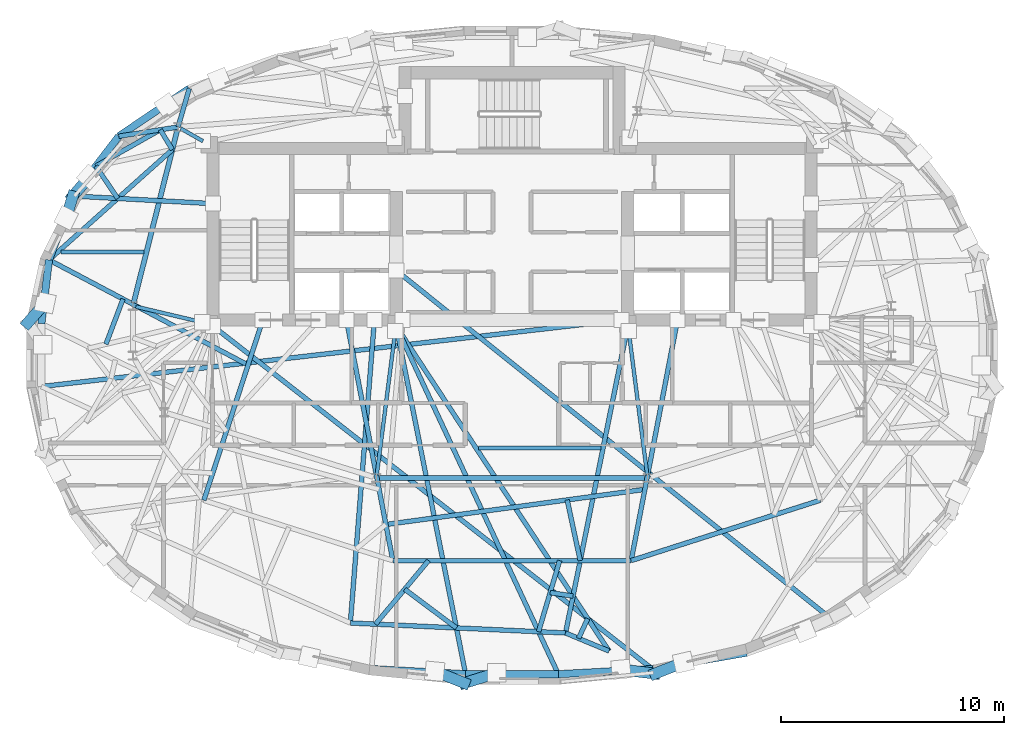
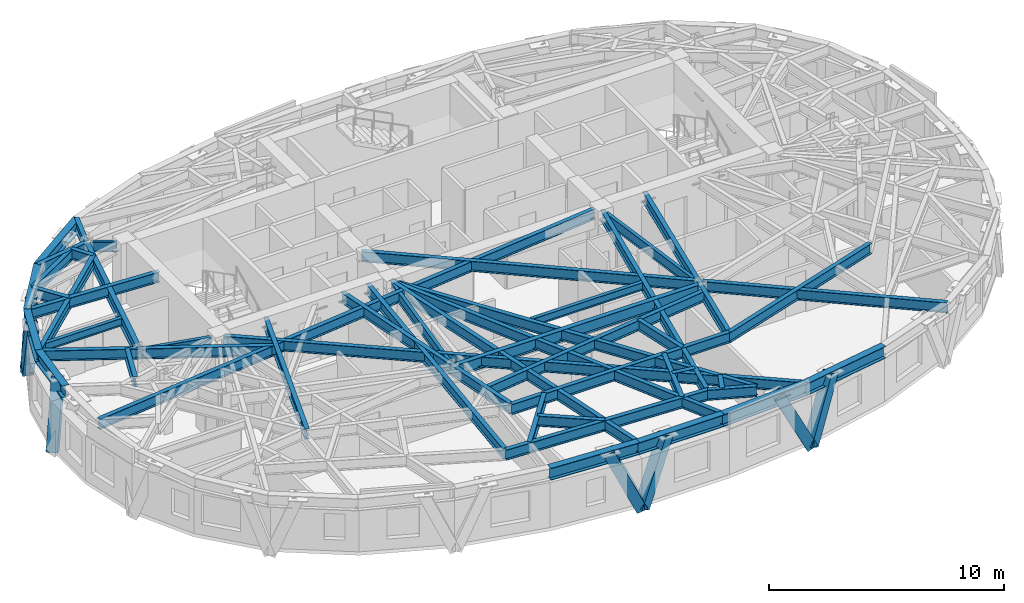
# One storey, part 2 of 13: 47 beams, 7 members.
"""IFC4 building model written with IfcOpenShell, lengths in metres."""

import ifcopenshell
import ifcopenshell.guid

model = None  # the IFC model being written
_history = None  # IfcOwnerHistory: only IFC2X3 demands one
_inside = {}  # id of a spatial element -> (the spatial element, [elements in it])
_under = {}  # id of a project, library or spatial element -> (it, [spatial elements below it])
_declared = {}  # id of a project -> (the project, [libraries it declares])
_typed = {}  # id of a type object -> (the type object, [elements of that type])
_made_of = {}  # id of a material, layer set ... -> (it, [elements and type objects made of it])


def new_model(schema):
    """Start an empty IFC model of exactly this schema.

    Asked for "IFC4X3", IfcOpenShell would pick the latest addendum, in which some entities
    have other attributes; the version numbers below select the first issue.
    IFC2X3 requires an IfcOwnerHistory on every rooted entity: one is made here for all.
    """
    global model, _history
    if schema == "IFC4X3":
        model = ifcopenshell.file(schema_version=(4, 3, 0, 0))
    else:
        model = ifcopenshell.file(schema=schema)
    _inside.clear()
    _under.clear()
    _declared.clear()
    _typed.clear()
    _made_of.clear()
    _history = None
    if model.schema == "IFC2X3":
        org = make("IfcOrganization", Name="unknown")
        user = make(
            "IfcPersonAndOrganization",
            ThePerson=make("IfcPerson", FamilyName="unknown"),
            TheOrganization=org,
        )
        app = make(
            "IfcApplication",
            ApplicationDeveloper=org,
            Version="unknown",
            ApplicationFullName="unknown",
            ApplicationIdentifier="unknown",
        )
        _history = make(
            "IfcOwnerHistory",
            OwningUser=user,
            OwningApplication=app,
            ChangeAction="ADDED",
            CreationDate=0,
        )
    return model


def make(cls, **values):
    """One entity of the class cls with the attributes given. An attribute that is None is left unset."""
    return model.create_entity(
        cls, **{name: value for name, value in values.items() if value is not None}
    )


def rooted(cls, **values):
    """An entity with a GlobalId (a new one), such as an element, a storey or a relation."""
    return make(cls, GlobalId=ifcopenshell.guid.new(), OwnerHistory=_history, **values)


def si_unit(unit_type, name, prefix=None):
    """IfcSIUnit, for example si_unit("LENGTHUNIT", "METRE", prefix="MILLI")."""
    return make("IfcSIUnit", UnitType=unit_type, Prefix=prefix, Name=name)


def assignment(units):
    """IfcUnitAssignment: the units of a project."""
    return None if units is None else make("IfcUnitAssignment", Units=units)


def point(xyz):
    """IfcCartesianPoint."""
    return None if xyz is None else make("IfcCartesianPoint", Coordinates=xyz)


def direction(xyz):
    """IfcDirection."""
    return None if xyz is None else make("IfcDirection", DirectionRatios=xyz)


def frame(location, z_axis=None, x_axis=None):
    """IfcAxis2Placement3D, a coordinate frame: its origin and axes. An axis left out is left unset."""
    return make(
        "IfcAxis2Placement3D",
        Location=point(location),
        Axis=direction(z_axis),
        RefDirection=direction(x_axis),
    )


def frame_2d(location, x_axis=None):
    """IfcAxis2Placement2D, a coordinate frame in the plane: its origin and x axis."""
    return make(
        "IfcAxis2Placement2D", Location=point(location), RefDirection=direction(x_axis)
    )


def origin():
    """The frame at (0, 0, 0) with its axes left unset."""
    return frame((0.0, 0.0, 0.0))


def origin_2d():
    """The frame at (0, 0) in the plane with its x axis left unset."""
    return frame_2d((0.0, 0.0))


def place(relative_to, where):
    """IfcLocalPlacement: puts the frame where relative to a parent placement (None: the world)."""
    return make(
        "IfcLocalPlacement", PlacementRelTo=relative_to, RelativePlacement=where
    )


def context(
    kind, dimensions, precision=None, world=None, true_north=None, identifier=None
):
    """IfcGeometricRepresentationContext, for example the 3D "Model" context."""
    return make(
        "IfcGeometricRepresentationContext",
        ContextIdentifier=identifier,
        ContextType=kind,
        CoordinateSpaceDimension=dimensions,
        Precision=precision,
        WorldCoordinateSystem=world,
        TrueNorth=true_north,
    )


def subcontext(parent, identifier, kind, view, scale=None):
    """IfcGeometricRepresentationSubContext, for example "Body" below "Model"."""
    return make(
        "IfcGeometricRepresentationSubContext",
        ContextIdentifier=identifier,
        ContextType=kind,
        ParentContext=parent,
        TargetScale=scale,
        TargetView=view,
    )


def project(units=None, contexts=None):
    """IfcProject with its units and contexts."""
    return rooted(
        "IfcProject",
        Name="project",
        RepresentationContexts=contexts,
        UnitsInContext=assignment(units),
    )


def spatial(cls, under=None, at=None, **own):
    """A site, building, storey or space (cls), placed at a placement, below another one or the project."""
    s = rooted(cls, ObjectPlacement=at, **own)
    if under is not None:
        _under.setdefault(under.id(), (under, []))[1].append(s)
    return s


def profile(cls, at=None, kind="AREA", **sizes):
    """A parametric profile (cls). Its sizes go by their IFC names, for example OverallWidth=200.0."""
    return make(cls, ProfileType=kind, Position=at, **sizes)


def hollow_rectangle(**sizes):
    """IfcRectangleHollowProfileDef."""
    return profile("IfcRectangleHollowProfileDef", **sizes)


def i_section(**sizes):
    """IfcIShapeProfileDef."""
    return profile("IfcIShapeProfileDef", **sizes)


def extrude(swept, where, along, depth):
    """IfcExtrudedAreaSolid: the profile swept, set in the frame where, extruded along a direction by depth."""
    return make(
        "IfcExtrudedAreaSolid",
        SweptArea=swept,
        Position=where,
        ExtrudedDirection=direction(along),
        Depth=depth,
    )


def shape(context_of_items, identifier, shape_type, items):
    """IfcShapeRepresentation: the items that make up one representation, for example the "Body"."""
    return make(
        "IfcShapeRepresentation",
        ContextOfItems=context_of_items,
        RepresentationIdentifier=identifier,
        RepresentationType=shape_type,
        Items=items,
    )


def material(Name=None, Category=None):
    """IfcMaterial."""
    return make("IfcMaterial", Name=Name, Category=Category)


def material_profile(
    of_material, cross_section, Name=None, Category=None, Priority=None
):
    """IfcMaterialProfile: a cross section and its material."""
    return make(
        "IfcMaterialProfile",
        Name=Name,
        Material=of_material,
        Profile=cross_section,
        Priority=Priority,
        Category=Category,
    )


def profile_set(profiles, Name=None, composite=None):
    """IfcMaterialProfileSet."""
    return make(
        "IfcMaterialProfileSet",
        Name=Name,
        MaterialProfiles=profiles,
        CompositeProfile=composite,
    )


def made_of(thing, what):
    """Note that an element or type object is made of a material, layer set ...; save() writes the relation."""
    if what is not None:
        _made_of.setdefault(what.id(), (what, []))[1].append(thing)
    return thing


def type_object(cls, material=None, **own):
    """A type object (cls), such as IfcWallType, which elements share."""
    return made_of(rooted(cls, **own), material)


def element(
    cls,
    number,
    at=None,
    inside=None,
    cuts=None,
    type_object=None,
    material=None,
    context=None,
    identifier="Body",
    shape_type=None,
    held_by="IfcProductDefinitionShape",
    body=None,
    shapes=None,
    **own,
):
    """One element of the class cls, such as IfcWall. Its Tag is "e" and its number.

    at: its placement. inside: the storey or other place that contains it. cuts: it is an
    opening in that element (IfcRelVoidsElement). A single representation is given by context,
    identifier, shape_type and body (its items); several are given by shapes. held_by: the class
    of the entity that holds the representations. save() writes the other relations.
    """
    e = rooted(cls, Tag="e%d" % number, ObjectPlacement=at, **own)
    if body is not None:
        shapes = [shape(context, identifier, shape_type, body)]
    if shapes is not None:
        e.Representation = make(held_by, Representations=shapes)
    if inside is not None:
        _inside.setdefault(inside.id(), (inside, []))[1].append(e)
    if cuts is not None:
        rooted(
            "IfcRelVoidsElement", RelatingBuildingElement=cuts, RelatedOpeningElement=e
        )
    if type_object is not None:
        _typed.setdefault(type_object.id(), (type_object, []))[1].append(e)
    return made_of(e, material)


def aggregate(whole, parts):
    """IfcRelAggregates: a whole, such as a stair, and the parts it consists of."""
    return rooted("IfcRelAggregates", RelatingObject=whole, RelatedObjects=parts)


def save(model, path):
    """Write the relations noted so far, then the file.

    IfcRelAggregates (storeys below a building ...), IfcRelContainedInSpatialStructure (elements
    in a storey), IfcRelDefinesByType, IfcRelAssociatesMaterial and IfcRelDeclares: one each for
    every whole, place, type object, material and project.
    """
    for whole, parts in _under.values():
        aggregate(whole, parts)
    for where, things in _inside.values():
        rooted(
            "IfcRelContainedInSpatialStructure",
            RelatedElements=things,
            RelatingStructure=where,
        )
    for kind, things in _typed.values():
        rooted("IfcRelDefinesByType", RelatedObjects=things, RelatingType=kind)
    for what, things in _made_of.values():
        rooted("IfcRelAssociatesMaterial", RelatedObjects=things, RelatingMaterial=what)
    for by, libraries in _declared.values():
        rooted("IfcRelDeclares", RelatingContext=by, RelatedDefinitions=libraries)
    model.write(path)


model = new_model("IFC4")

# Units and contexts
model_context = context("Model", 3, precision=1e-05, world=origin(), true_north=direction((0.0, 1.0)))
body_context = subcontext(model_context, "Body", "Model", "MODEL_VIEW")
ifc_project = project(units=[si_unit("LENGTHUNIT", "METRE"), si_unit("AREAUNIT", "SQUARE_METRE"), si_unit("VOLUMEUNIT", "CUBIC_METRE"), si_unit("PLANEANGLEUNIT", "RADIAN"), si_unit("MASSUNIT", "GRAM", prefix="KILO")], contexts=[model_context])

# Site, building, storey
site_placement = place(None, origin())
site = spatial("IfcSite", under=ifc_project, at=site_placement, CompositionType="ELEMENT")
building_placement = place(site_placement, origin())
building = spatial("IfcBuilding", under=site, at=building_placement, Name="Keldmark Tower", CompositionType="ELEMENT")
storey_placement = place(building_placement, frame((0.0, 0.0, 244.64990234375)))
storey = spatial("IfcBuildingStorey", under=building, at=storey_placement, Name="L69", CompositionType="ELEMENT", Elevation=244.64990234375)

# Beams
ifc_material_1 = material(Name="Steel ASTM A992 Grade 50", Category="steel")
ifc_material_profile_1 = material_profile(ifc_material_1, i_section(OverallWidth=0.177978515625, OverallDepth=0.403076171875, WebThickness=0.007568359375, FlangeThickness=0.010986328125, at=origin_2d()), Name="W16X36")
ifc_profile_set_1 = profile_set([ifc_material_profile_1], Name="Steel ASTM A992 Grade 50")
beam_type_1 = type_object("IfcBeamType", Name="Composite Floor Joist W16X36", PredefinedType="JOIST", material=ifc_profile_set_1)
beam_1_placement = place(storey_placement, frame((-1.49462890625, -4.179931640625, 2.7685546875), z_axis=(1.0, 0.0, 0.0), x_axis=(0.0, 1.0, 0.0)))
element("IfcBeam", 1, at=beam_1_placement, inside=storey, type_object=beam_type_1, Name="L69 Composite Floor Joist J03", PredefinedType="JOIST", context=body_context, shape_type="SweptSolid", body=[
    extrude(i_section(OverallWidth=0.177978515625, OverallDepth=0.403076171875, WebThickness=0.007568359375, FlangeThickness=0.010986328125, at=origin_2d()), origin(), (0.0, 0.0, 1.0), 5.484619140625),
])
beam_2_placement = place(storey_placement, frame((-20.260498046875, 4.6201171875, 2.7685546875), z_axis=(1.0, 0.0, 0.0), x_axis=(0.0, 1.0, 0.0)))
element("IfcBeam", 2, at=beam_2_placement, inside=storey, type_object=beam_type_1, Name="L69 Composite Floor Joist J04", PredefinedType="JOIST", context=body_context, shape_type="SweptSolid", body=[
    extrude(i_section(OverallWidth=0.177978515625, OverallDepth=0.403076171875, WebThickness=0.007568359375, FlangeThickness=0.010986328125, at=origin_2d()), origin(), (0.0, 0.0, 1.0), 3.735595703125),
])

# Members
ifc_material_2 = material(Name="Steel ASTM A572 Grade 50", Category="steel")
ifc_material_profile_2 = material_profile(ifc_material_2, hollow_rectangle(XDim=0.5, YDim=0.5, WallThickness=0.030029296875, at=origin_2d()), Name="BOX500X500X30")
ifc_profile_set_2 = profile_set([ifc_material_profile_2], Name="Steel ASTM A572 Grade 50")
member_type = type_object("IfcMemberType", Name="Diagrid Upper Brace BOX500X500X30", PredefinedType="BRACE", material=ifc_profile_set_2)
member_1_placement = place(storey_placement, frame((-19.728271484375, 7.129150390625, -0.260009765625), z_axis=(0.225146112073, 0.262780938135, 0.938219274355), x_axis=(-0.759391798182, 0.650633611839, 0.0)))
element("IfcMember", 3, at=member_1_placement, inside=storey, type_object=member_type, Name="L69 Perimeter Diagrid Brace 07A", PredefinedType="BRACE", context=body_context, shape_type="SweptSolid", body=[
    extrude(hollow_rectangle(XDim=0.5, YDim=0.5, WallThickness=0.030029296875, at=origin_2d()), origin(), (0.0, 0.0, 1.0), 3.31494140625),
])
member_2_placement = place(storey_placement, frame((-19.7216796875, 7.138916015625, -0.260009765625), z_axis=(-0.091121113924, -0.298939890116, 0.949911514139), x_axis=(0.956549539404, -0.291569852121, 0.0)))
element("IfcMember", 4, at=member_2_placement, inside=storey, type_object=member_type, Name="L69 Perimeter Diagrid Brace 07B", PredefinedType="BRACE", context=body_context, shape_type="SweptSolid", body=[
    extrude(hollow_rectangle(XDim=0.5, YDim=0.5, WallThickness=0.030029296875, at=origin_2d()), origin(), (0.0, 0.0, 1.0), 3.274169921875),
])
member_3_placement = place(storey_placement, frame((-21.751953125, 1.439208984375, -0.260009765625), z_axis=(0.236657823038, 0.272818962717, 0.932503559445), x_axis=(-0.755394757937, 0.655269989914, 0.0)))
element("IfcMember", 5, at=member_3_placement, inside=storey, type_object=member_type, Name="L69 Perimeter Diagrid Brace 08A", PredefinedType="BRACE", context=body_context, shape_type="SweptSolid", body=[
    extrude(hollow_rectangle(XDim=0.5, YDim=0.5, WallThickness=0.030029296875, at=origin_2d()), origin(), (0.0, 0.0, 1.0), 3.335205078125),
])
member_4_placement = place(storey_placement, frame((-2.130615234375, -14.7314453125, -0.260009765625), z_axis=(-0.391321444426, 0.15640043904, 0.906866268973), x_axis=(-0.371128536334, -0.928581503972, 0.0)))
element("IfcMember", 6, at=member_4_placement, inside=storey, type_object=member_type, Name="L69 Perimeter Diagrid Brace 12A", PredefinedType="BRACE", context=body_context, shape_type="SweptSolid", body=[
    extrude(hollow_rectangle(XDim=0.5, YDim=0.5, WallThickness=0.030029296875, at=origin_2d()), origin(), (0.0, 0.0, 1.0), 3.429443359375),
])
member_5_placement = place(storey_placement, frame((-2.14208984375, -14.72900390625, -0.260009765625), z_axis=(0.419804559651, 0.132440021421, 0.897899644962), x_axis=(-0.300863147023, 0.953667324995, 0.0)))
element("IfcMember", 7, at=member_5_placement, inside=storey, type_object=member_type, Name="L69 Perimeter Diagrid Brace 12B", PredefinedType="BRACE", context=body_context, shape_type="SweptSolid", body=[
    extrude(hollow_rectangle(XDim=0.5, YDim=0.5, WallThickness=0.030029296875, at=origin_2d()), origin(), (0.0, 0.0, 1.0), 3.4638671875),
])
member_6_placement = place(storey_placement, frame((6.42041015625, -14.305419921875, -0.260009765625), z_axis=(-0.440255197099, 0.054803259594, 0.896198618703), x_axis=(-0.123527289199, -0.992341175616, 0.0)))
element("IfcMember", 8, at=member_6_placement, inside=storey, type_object=member_type, Name="L69 Perimeter Diagrid Brace 13A", PredefinedType="BRACE", context=body_context, shape_type="SweptSolid", body=[
    extrude(hollow_rectangle(XDim=0.5, YDim=0.5, WallThickness=0.030029296875, at=origin_2d()), origin(), (0.0, 0.0, 1.0), 3.47021484375),
])
member_7_placement = place(storey_placement, frame((6.40869140625, -14.3076171875, -0.260009765625), z_axis=(0.379041415839, 0.150096960054, 0.913125680102), x_axis=(-0.368175119927, 0.92975646331, 0.0)))
element("IfcMember", 9, at=member_7_placement, inside=storey, type_object=member_type, Name="L69 Perimeter Diagrid Brace 13B", PredefinedType="BRACE", context=body_context, shape_type="SweptSolid", body=[
    extrude(hollow_rectangle(XDim=0.5, YDim=0.5, WallThickness=0.030029296875, at=origin_2d()), origin(), (0.0, 0.0, 1.0), 3.406005859375),
])

# Beams
ifc_material_3 = material(Name="Steel ASTM A992 Grade 50", Category="steel")
ifc_material_profile_3 = material_profile(ifc_material_3, i_section(OverallWidth=0.22802734375, OverallDepth=0.60302734375, WebThickness=0.010498046875, FlangeThickness=0.014892578125, at=origin_2d()), Name="W24X68")
ifc_profile_set_3 = profile_set([ifc_material_profile_3], Name="Steel ASTM A992 Grade 50")
beam_type_2 = type_object("IfcBeamType", Name="Primary Floor Girder W24X68", PredefinedType="BEAM", material=ifc_profile_set_3)
beam_3_placement = place(storey_placement, frame((-15.030029296875, 10.10791015625, 2.668701171875), z_axis=(-0.244902129455, -0.969547805417, 0.0), x_axis=(0.969547805417, -0.244902129455, 0.0)))
element("IfcBeam", 10, at=beam_3_placement, inside=storey, type_object=beam_type_2, Name="L69 Floor Ring Girder FG-R05", PredefinedType="BEAM", context=body_context, shape_type="SweptSolid", body=[
    extrude(i_section(OverallWidth=0.22802734375, OverallDepth=0.60302734375, WebThickness=0.010498046875, FlangeThickness=0.014892578125, at=origin_2d()), origin(), (0.0, 0.0, 1.0), 8.008056640625),
])
beam_4_placement = place(storey_placement, frame((-5.949462890625, -5.512939453125, 2.668701171875), z_axis=(1.0, 0.0, 0.0), x_axis=(0.0, 1.0, 0.0)))
element("IfcBeam", 11, at=beam_4_placement, inside=storey, type_object=beam_type_2, Name="L69 Floor Ring Girder FG-R09", PredefinedType="BEAM", context=body_context, shape_type="SweptSolid", body=[
    extrude(i_section(OverallWidth=0.22802734375, OverallDepth=0.60302734375, WebThickness=0.010498046875, FlangeThickness=0.014892578125, at=origin_2d()), origin(), (0.0, 0.0, 1.0), 11.89892578125),
])
ifc_material_4 = material(Name="Steel ASTM A992 Grade 50", Category="steel")
ifc_material_profile_4 = material_profile(ifc_material_4, i_section(OverallWidth=0.166015625, OverallDepth=0.529052734375, WebThickness=0.009765625, FlangeThickness=0.013671875, at=origin_2d()), Name="W21X50")
ifc_profile_set_4 = profile_set([ifc_material_profile_4], Name="Steel ASTM A992 Grade 50")
beam_type_3 = type_object("IfcBeamType", Name="Radial Tie Girder W21X50", PredefinedType="BEAM", material=ifc_profile_set_4)
beam_5_placement = place(storey_placement, frame((-14.8740234375, 10.174560546875, 2.70556640625), z_axis=(0.869238046195, -0.494393789451, 0.0), x_axis=(0.494393789451, 0.869238046195, 0.0)))
element("IfcBeam", 12, at=beam_5_placement, inside=storey, type_object=beam_type_3, Name="L69 Floor Radial Girder FG-C05", PredefinedType="BEAM", context=body_context, shape_type="SweptSolid", body=[
    extrude(i_section(OverallWidth=0.166015625, OverallDepth=0.529052734375, WebThickness=0.009765625, FlangeThickness=0.013671875, at=origin_2d()), origin(), (0.0, 0.0, 1.0), 1.145751953125),
])
beam_6_placement = place(storey_placement, frame((-16.889404296875, 2.17578125, 2.70556640625), z_axis=(0.97329039005, -0.229577474147, 0.0), x_axis=(0.229577474147, 0.97329039005, 0.0)))
element("IfcBeam", 13, at=beam_6_placement, inside=storey, type_object=beam_type_3, Name="L69 Floor Radial Girder FG-C06", PredefinedType="BEAM", context=body_context, shape_type="SweptSolid", body=[
    extrude(i_section(OverallWidth=0.166015625, OverallDepth=0.529052734375, WebThickness=0.009765625, FlangeThickness=0.013671875, at=origin_2d()), origin(), (0.0, 0.0, 1.0), 3.0595703125),
])
for number, where, z_axis, x_axis, name in (
    (14, (-6.071533203125, -5.3740234375, 2.70556640625), (0.127625044513, 0.991822488157, 0.0), (-0.991822488157, 0.127625044513, 0.0), "L69 Floor Radial Girder FG-C09"),
    (15, (6.071533203125, -5.3740234375, 2.70556640625), (-0.127625044513, 0.991822488157, 0.0), (-0.991822488157, -0.127625044513, 0.0), "L69 Floor Radial Girder FG-C10"),
):
    element("IfcBeam", number, at=place(storey_placement, frame(where, z_axis=z_axis, x_axis=x_axis)), inside=storey, type_object=beam_type_3, Name=name, PredefinedType="BEAM", context=body_context, shape_type="SweptSolid", body=[
        extrude(i_section(OverallWidth=0.166015625, OverallDepth=0.529052734375, WebThickness=0.009765625, FlangeThickness=0.013671875, at=origin_2d()), origin(), (0.0, 0.0, 1.0), 6.509765625),
    ])
ifc_material_5 = material(Name="Steel ASTM A992 Grade 50", Category="steel")
ifc_material_profile_5 = material_profile(ifc_material_5, i_section(OverallWidth=0.2099609375, OverallDepth=0.537109375, WebThickness=0.010986328125, FlangeThickness=0.017333984375, at=origin_2d()), Name="W21X68")
ifc_profile_set_5 = profile_set([ifc_material_profile_5], Name="Steel ASTM A992 Grade 50")
beam_type_4 = type_object("IfcBeamType", Name="Radial Tie Girder W21X68", PredefinedType="BEAM", material=ifc_profile_set_5)
beam_7_placement = place(storey_placement, frame((-11.19287109375, 1.574951171875, 2.70166015625), z_axis=(-0.310622790125, -0.950533262046, 0.0), x_axis=(0.950533262046, -0.310622790125, 0.0)))
element("IfcBeam", 16, at=beam_7_placement, inside=storey, type_object=beam_type_4, Name="L69 Sub-Ring Step Girder STP1-M08", PredefinedType="BEAM", context=body_context, shape_type="SweptSolid", body=[
    extrude(i_section(OverallWidth=0.2099609375, OverallDepth=0.537109375, WebThickness=0.010986328125, FlangeThickness=0.017333984375, at=origin_2d()), origin(), (0.0, 0.0, 1.0), 8.51513671875),
])
beam_8_placement = place(storey_placement, frame((-7.43212890625, 1.574951171875, 2.70166015625), z_axis=(0.189163451734, -0.981945613834, 0.0), x_axis=(0.981945613834, 0.189163451734, 0.0)))
element("IfcBeam", 17, at=beam_8_placement, inside=storey, type_object=beam_type_4, Name="L69 Sub-Ring Step Girder STP1-M09", PredefinedType="BEAM", context=body_context, shape_type="SweptSolid", body=[
    extrude(i_section(OverallWidth=0.2099609375, OverallDepth=0.537109375, WebThickness=0.010986328125, FlangeThickness=0.017333984375, at=origin_2d()), origin(), (0.0, 0.0, 1.0), 11.00146484375),
])
beam_9_placement = place(storey_placement, frame((-5.6630859375, -7.607421875, 2.70166015625), z_axis=(0.990927252406, 0.134399331986, 0.0), x_axis=(-0.134399331986, 0.990927252406, 0.0)))
element("IfcBeam", 18, at=beam_9_placement, inside=storey, type_object=beam_type_4, Name="L69 Framing Pin Header PH-004", PredefinedType="BEAM", context=body_context, shape_type="SweptSolid", body=[
    extrude(i_section(OverallWidth=0.2099609375, OverallDepth=0.537109375, WebThickness=0.010986328125, FlangeThickness=0.017333984375, at=origin_2d()), origin(), (0.0, 0.0, 1.0), 11.736572265625),
])
beam_10_placement = place(storey_placement, frame((7.43212890625, 1.574951171875, 2.70166015625), z_axis=(-0.189163451734, -0.981945613834, 0.0), x_axis=(0.981945613834, -0.189163451734, 0.0)))
element("IfcBeam", 19, at=beam_10_placement, inside=storey, type_object=beam_type_4, Name="L69 Sub-Ring Step Girder STP1-M10", PredefinedType="BEAM", context=body_context, shape_type="SweptSolid", body=[
    extrude(i_section(OverallWidth=0.2099609375, OverallDepth=0.537109375, WebThickness=0.010986328125, FlangeThickness=0.017333984375, at=origin_2d()), origin(), (0.0, 0.0, 1.0), 11.00146484375),
])
beam_11_placement = place(storey_placement, frame((-5.35107421875, -9.227783203125, 2.70166015625), z_axis=(1.0, 0.0, 0.0), x_axis=(0.0, 1.0, 0.0)))
element("IfcBeam", 20, at=beam_11_placement, inside=storey, type_object=beam_type_4, Name="L69 Perimeter Collector Ring Beam CRG1-M09", PredefinedType="BEAM", context=body_context, shape_type="SweptSolid", body=[
    extrude(i_section(OverallWidth=0.2099609375, OverallDepth=0.537109375, WebThickness=0.010986328125, FlangeThickness=0.017333984375, at=origin_2d()), origin(), (0.0, 0.0, 1.0), 10.7021484375),
])
beam_12_placement = place(storey_placement, frame((5.35107421875, -9.227783203125, 2.70166015625), z_axis=(0.952653299931, 0.304058695206, 0.0), x_axis=(-0.304058695206, 0.952653299931, 0.0)))
element("IfcBeam", 21, at=beam_12_placement, inside=storey, type_object=beam_type_4, Name="L69 Perimeter Collector Ring Beam CRG1-M10", PredefinedType="BEAM", context=body_context, shape_type="SweptSolid", body=[
    extrude(i_section(OverallWidth=0.2099609375, OverallDepth=0.537109375, WebThickness=0.010986328125, FlangeThickness=0.017333984375, at=origin_2d()), origin(), (0.0, 0.0, 1.0), 8.90869140625),
])
beam_13_placement = place(storey_placement, frame((-6.1787109375, 1.574951171875, 2.70166015625), z_axis=(-0.079136616474, -0.996863780029, 0.0), x_axis=(0.996863780029, -0.079136616474, 0.0)))
element("IfcBeam", 22, at=beam_13_placement, inside=storey, type_object=beam_type_4, Name="L69 Sub-Ring Step Girder STP2-M09", PredefinedType="BEAM", context=body_context, shape_type="SweptSolid", body=[
    extrude(i_section(OverallWidth=0.2099609375, OverallDepth=0.537109375, WebThickness=0.010986328125, FlangeThickness=0.017333984375, at=origin_2d()), origin(), (0.0, 0.0, 1.0), 13.648193359375),
])
beam_14_placement = place(storey_placement, frame((2.477783203125, -6.50341796875, 2.70166015625), z_axis=(0.210181217397, -0.977662444739, 0.0), x_axis=(0.977662444739, 0.210181217397, 0.0)))
element("IfcBeam", 23, at=beam_14_placement, inside=storey, type_object=beam_type_4, Name="L69 Framing Pin Header PH-010", PredefinedType="BEAM", context=body_context, shape_type="SweptSolid", body=[
    extrude(i_section(OverallWidth=0.2099609375, OverallDepth=0.537109375, WebThickness=0.010986328125, FlangeThickness=0.017333984375, at=origin_2d()), origin(), (0.0, 0.0, 1.0), 2.78662109375),
])
beam_15_placement = place(storey_placement, frame((5.199951171875, 1.300048828125, 2.70166015625), z_axis=(-0.198873859633, -0.980025095574, 0.0), x_axis=(0.980025095574, -0.198873859633, 0.0)))
element("IfcBeam", 24, at=beam_15_placement, inside=storey, type_object=beam_type_4, Name="L69 Sub-Ring Step Girder STP2-M10", PredefinedType="BEAM", context=body_context, shape_type="SweptSolid", body=[
    extrude(i_section(OverallWidth=0.2099609375, OverallDepth=0.537109375, WebThickness=0.010986328125, FlangeThickness=0.017333984375, at=origin_2d()), origin(), (0.0, 0.0, 1.0), 14.05859375),
])
beam_16_placement = place(storey_placement, frame((-7.2587890625, -12.030517578125, 2.70166015625), z_axis=(0.998930467132, -0.046237666838, 0.0), x_axis=(0.046237666838, 0.998930467132, 0.0)))
element("IfcBeam", 25, at=beam_16_placement, inside=storey, type_object=beam_type_4, Name="L69 Perimeter Collector Ring Beam CRG2-M09", PredefinedType="BEAM", context=body_context, shape_type="SweptSolid", body=[
    extrude(i_section(OverallWidth=0.2099609375, OverallDepth=0.537109375, WebThickness=0.010986328125, FlangeThickness=0.017333984375, at=origin_2d()), origin(), (0.0, 0.0, 1.0), 9.673095703125),
])
beam_17_placement = place(storey_placement, frame((-14.995849609375, 10.24365234375, 2.70166015625), z_axis=(0.279890698496, 0.960031872854, 0.0), x_axis=(-0.960031872854, 0.279890698496, 0.0)))
element("IfcBeam", 26, at=beam_17_placement, inside=storey, type_object=beam_type_4, Name="L69 Perimeter Column Bracket RT-12", PredefinedType="BEAM", context=body_context, shape_type="SweptSolid", body=[
    extrude(i_section(OverallWidth=0.2099609375, OverallDepth=0.537109375, WebThickness=0.010986328125, FlangeThickness=0.017333984375, at=origin_2d()), origin(), (0.0, 0.0, 1.0), 1.80126953125),
])
beam_18_placement = place(storey_placement, frame((-14.995849609375, 10.24365234375, 2.70166015625), z_axis=(-0.987913814806, -0.155004175803, 0.0), x_axis=(0.155004175803, -0.987913814806, 0.0)))
element("IfcBeam", 27, at=beam_18_placement, inside=storey, type_object=beam_type_4, Name="L69 Perimeter Column Bracket RT-13", PredefinedType="BEAM", context=body_context, shape_type="SweptSolid", body=[
    extrude(i_section(OverallWidth=0.2099609375, OverallDepth=0.537109375, WebThickness=0.010986328125, FlangeThickness=0.017333984375, at=origin_2d()), origin(), (0.0, 0.0, 1.0), 2.69482421875),
])
beam_19_placement = place(storey_placement, frame((-15.79443359375, 10.118408203125, 2.70166015625), z_axis=(0.518203287232, -0.855257477665, 0.0), x_axis=(0.855257477665, 0.518203287232, 0.0)))
element("IfcBeam", 28, at=beam_19_placement, inside=storey, type_object=beam_type_4, Name="L69 Framing Pin Header PH-018", PredefinedType="BEAM", context=body_context, shape_type="SweptSolid", body=[
    extrude(i_section(OverallWidth=0.2099609375, OverallDepth=0.537109375, WebThickness=0.010986328125, FlangeThickness=0.017333984375, at=origin_2d()), origin(), (0.0, 0.0, 1.0), 1.04443359375),
])
beam_20_placement = place(storey_placement, frame((-15.79443359375, 10.118408203125, 2.70166015625), z_axis=(-0.870716159518, -0.491785898084, 0.0), x_axis=(0.491785898084, -0.870716159518, 0.0)))
element("IfcBeam", 29, at=beam_20_placement, inside=storey, type_object=beam_type_4, Name="L69 Local Collector Chord RT-14C", PredefinedType="BEAM", context=body_context, shape_type="SweptSolid", body=[
    extrude(i_section(OverallWidth=0.2099609375, OverallDepth=0.537109375, WebThickness=0.010986328125, FlangeThickness=0.017333984375, at=origin_2d()), origin(), (0.0, 0.0, 1.0), 3.320556640625),
])
beam_21_placement = place(storey_placement, frame((-18.234130859375, 0.490966796875, 2.70166015625), z_axis=(0.35414499765, 0.935190526385, 0.0), x_axis=(-0.935190526385, 0.35414499765, 0.0)))
element("IfcBeam", 30, at=beam_21_placement, inside=storey, type_object=beam_type_4, Name="L69 Framing Pin Header PH-019", PredefinedType="BEAM", context=body_context, shape_type="SweptSolid", body=[
    extrude(i_section(OverallWidth=0.2099609375, OverallDepth=0.537109375, WebThickness=0.010986328125, FlangeThickness=0.017333984375, at=origin_2d()), origin(), (0.0, 0.0, 1.0), 2.168212890625),
])
beam_22_placement = place(storey_placement, frame((-11.854248046875, -0.448486328125, 2.70166015625), z_axis=(-0.884059161491, 0.467375008942, 0.0), x_axis=(-0.467375008942, -0.884059161491, 0.0)))
element("IfcBeam", 31, at=beam_22_placement, inside=storey, type_object=beam_type_4, Name="L69 Perimeter Radial Tie Girder RT-15", PredefinedType="BEAM", context=body_context, shape_type="SweptSolid", body=[
    extrude(i_section(OverallWidth=0.2099609375, OverallDepth=0.537109375, WebThickness=0.010986328125, FlangeThickness=0.017333984375, at=origin_2d()), origin(), (0.0, 0.0, 1.0), 10.109375),
])
beam_23_placement = place(storey_placement, frame((4.925048828125, 1.574951171875, 2.70166015625), z_axis=(-0.993497825458, -0.11385109051, 0.0), x_axis=(0.11385109051, -0.993497825458, 0.0)))
element("IfcBeam", 32, at=beam_23_placement, inside=storey, type_object=beam_type_4, Name="L69 Perimeter Radial Tie Girder RT-17", PredefinedType="BEAM", context=body_context, shape_type="SweptSolid", body=[
    extrude(i_section(OverallWidth=0.2099609375, OverallDepth=0.537109375, WebThickness=0.010986328125, FlangeThickness=0.017333984375, at=origin_2d()), origin(), (0.0, 0.0, 1.0), 26.230224609375),
])
beam_24_placement = place(storey_placement, frame((-3.74560546875, -9.227783203125, 2.70166015625), z_axis=(-0.640920147527, -0.767607558909, 0.0), x_axis=(0.767607558909, -0.640920147527, 0.0)))
element("IfcBeam", 33, at=beam_24_placement, inside=storey, type_object=beam_type_4, Name="L69 Framing Pin Header PH-027", PredefinedType="BEAM", context=body_context, shape_type="SweptSolid", body=[
    extrude(i_section(OverallWidth=0.2099609375, OverallDepth=0.537109375, WebThickness=0.010986328125, FlangeThickness=0.017333984375, at=origin_2d()), origin(), (0.0, 0.0, 1.0), 3.71923828125),
])
beam_25_placement = place(storey_placement, frame((-4.818359375, -10.5126953125, 2.70166015625), z_axis=(0.800534998869, -0.599286004831, 0.0), x_axis=(0.599286004831, 0.800534998869, 0.0)))
element("IfcBeam", 34, at=beam_25_placement, inside=storey, type_object=beam_type_4, Name="L69 Framing Pin Header PH-028", PredefinedType="BEAM", context=body_context, shape_type="SweptSolid", body=[
    extrude(i_section(OverallWidth=0.2099609375, OverallDepth=0.537109375, WebThickness=0.010986328125, FlangeThickness=0.017333984375, at=origin_2d()), origin(), (0.0, 0.0, 1.0), 2.900634765625),
])
beam_26_placement = place(storey_placement, frame((-5.199951171875, 1.300048828125, 2.70166015625), z_axis=(0.195656574166, -0.980672475899, 0.0), x_axis=(0.980672475899, 0.195656574166, 0.0)))
element("IfcBeam", 35, at=beam_26_placement, inside=storey, type_object=beam_type_4, Name="L69 Perimeter Radial Tie Girder RT-24", PredefinedType="BEAM", context=body_context, shape_type="SweptSolid", body=[
    extrude(i_section(OverallWidth=0.2099609375, OverallDepth=0.537109375, WebThickness=0.010986328125, FlangeThickness=0.017333984375, at=origin_2d()), origin(), (0.0, 0.0, 1.0), 15.938232421875),
])
beam_27_placement = place(storey_placement, frame((2.140380859375, -9.227783203125, 2.70166015625), z_axis=(-0.284462549083, -0.958687153439, 0.0), x_axis=(0.958687153439, -0.284462549083, 0.0)))
element("IfcBeam", 36, at=beam_27_placement, inside=storey, type_object=beam_type_4, Name="L69 Framing Pin Header PH-029", PredefinedType="BEAM", context=body_context, shape_type="SweptSolid", body=[
    extrude(i_section(OverallWidth=0.2099609375, OverallDepth=0.537109375, WebThickness=0.010986328125, FlangeThickness=0.017333984375, at=origin_2d()), origin(), (0.0, 0.0, 1.0), 3.331787109375),
])
beam_28_placement = place(storey_placement, frame((-5.199951171875, 1.300048828125, 2.70166015625), z_axis=(0.422286981877, -0.906462191676, 0.0), x_axis=(0.906462191676, 0.422286981877, 0.0)))
element("IfcBeam", 37, at=beam_28_placement, inside=storey, type_object=beam_type_4, Name="L69 Perimeter Radial Tie Girder RT-25", PredefinedType="BEAM", context=body_context, shape_type="SweptSolid", body=[
    extrude(i_section(OverallWidth=0.2099609375, OverallDepth=0.537109375, WebThickness=0.010986328125, FlangeThickness=0.017333984375, at=origin_2d()), origin(), (0.0, 0.0, 1.0), 17.242919921875),
])
beam_29_placement = place(storey_placement, frame((1.7138671875, -10.665283203125, 2.70166015625), z_axis=(0.988604383144, -0.150536951038, 0.0), x_axis=(0.150536951038, 0.988604383144, 0.0)))
element("IfcBeam", 38, at=beam_29_placement, inside=storey, type_object=beam_type_4, Name="L69 Framing Pin Header PH-030", PredefinedType="BEAM", context=body_context, shape_type="SweptSolid", body=[
    extrude(i_section(OverallWidth=0.2099609375, OverallDepth=0.537109375, WebThickness=0.010986328125, FlangeThickness=0.017333984375, at=origin_2d()), origin(), (0.0, 0.0, 1.0), 1.037841796875),
])
beam_30_placement = place(storey_placement, frame((-5.199951171875, 1.300048828125, 2.70166015625), z_axis=(0.547945865449, -0.836513794589, 0.0), x_axis=(0.836513794589, 0.547945865449, 0.0)))
element("IfcBeam", 39, at=beam_30_placement, inside=storey, type_object=beam_type_4, Name="L69 Intermediate Radial Step Girder RT-26M", PredefinedType="BEAM", context=body_context, shape_type="SweptSolid", body=[
    extrude(i_section(OverallWidth=0.2099609375, OverallDepth=0.537109375, WebThickness=0.010986328125, FlangeThickness=0.017333984375, at=origin_2d()), origin(), (0.0, 0.0, 1.0), 17.438720703125),
])
beam_31_placement = place(storey_placement, frame((2.404052734375, -12.477783203125, 2.70166015625), z_axis=(0.923626399722, -0.383293978216, 0.0), x_axis=(0.383293978216, 0.923626399722, 0.0)))
element("IfcBeam", 40, at=beam_31_placement, inside=storey, type_object=beam_type_4, Name="L69 Local Collector Chord RT-26C", PredefinedType="BEAM", context=body_context, shape_type="SweptSolid", body=[
    extrude(i_section(OverallWidth=0.2099609375, OverallDepth=0.537109375, WebThickness=0.010986328125, FlangeThickness=0.017333984375, at=origin_2d()), origin(), (0.0, 0.0, 1.0), 2.11279296875),
])
beam_32_placement = place(storey_placement, frame((2.989501953125, -12.720703125, 2.70166015625), z_axis=(0.418332534398, 0.908293945077, 0.0), x_axis=(-0.908293945077, 0.418332534398, 0.0)))
element("IfcBeam", 41, at=beam_32_placement, inside=storey, type_object=beam_type_4, Name="L69 Framing Pin Header PH-031", PredefinedType="BEAM", context=body_context, shape_type="SweptSolid", body=[
    extrude(i_section(OverallWidth=0.2099609375, OverallDepth=0.537109375, WebThickness=0.010986328125, FlangeThickness=0.017333984375, at=origin_2d()), origin(), (0.0, 0.0, 1.0), 0.981689453125),
])
beam_33_placement = place(storey_placement, frame((-13.425048828125, 1.300048828125, 2.70166015625), z_axis=(0.788375323496, -0.615194562152, 0.0), x_axis=(0.615194562152, 0.788375323496, 0.0)))
element("IfcBeam", 42, at=beam_33_placement, inside=storey, type_object=beam_type_4, Name="L69 Perimeter Radial Tie Girder RT-26", PredefinedType="BEAM", context=body_context, shape_type="SweptSolid", body=[
    extrude(i_section(OverallWidth=0.2099609375, OverallDepth=0.537109375, WebThickness=0.010986328125, FlangeThickness=0.017333984375, at=origin_2d()), origin(), (0.0, 0.0, 1.0), 25.028564453125),
])
beam_34_placement = place(storey_placement, frame((-5.199951171875, 3.800048828125, 2.70166015625), z_axis=(0.780489152048, -0.625169323892, 0.0), x_axis=(0.625169323892, 0.780489152048, 0.0)))
element("IfcBeam", 43, at=beam_34_placement, inside=storey, type_object=beam_type_4, Name="L69 Perimeter Radial Tie Girder RT-28", PredefinedType="BEAM", context=body_context, shape_type="SweptSolid", body=[
    extrude(i_section(OverallWidth=0.2099609375, OverallDepth=0.537109375, WebThickness=0.010986328125, FlangeThickness=0.017333984375, at=origin_2d()), origin(), (0.0, 0.0, 1.0), 25.22998046875),
])
beam_35_placement = place(storey_placement, frame((-15.253173828125, 9.22509765625, 2.70166015625), z_axis=(-0.74568389945, -0.666299874007, 0.0), x_axis=(0.666299874007, -0.74568389945, 0.0)))
element("IfcBeam", 44, at=beam_35_placement, inside=storey, type_object=beam_type_4, Name="L69 Straddling Support Chord RT-14RB", PredefinedType="BEAM", context=body_context, shape_type="SweptSolid", body=[
    extrude(i_section(OverallWidth=0.2099609375, OverallDepth=0.537109375, WebThickness=0.010986328125, FlangeThickness=0.017333984375, at=origin_2d()), origin(), (0.0, 0.0, 1.0), 7.42724609375),
])
beam_36_placement = place(storey_placement, frame((-18.685791015625, 8.4853515625, 2.70166015625), z_axis=(0.560188423506, -0.828365215451, 0.0), x_axis=(0.828365215451, 0.560188423506, 0.0)))
element("IfcBeam", 45, at=beam_36_placement, inside=storey, type_object=beam_type_4, Name="L69 Framing Pin Header PH-039", PredefinedType="BEAM", context=body_context, shape_type="SweptSolid", body=[
    extrude(i_section(OverallWidth=0.2099609375, OverallDepth=0.537109375, WebThickness=0.010986328125, FlangeThickness=0.017333984375, at=origin_2d()), origin(), (0.0, 0.0, 1.0), 1.75146484375),
])
beam_37_placement = place(storey_placement, frame((-13.425048828125, 6.800048828125, 2.70166015625), z_axis=(-0.99850299349, 0.05469709309, 0.0), x_axis=(-0.05469709309, -0.99850299349, 0.0)))
element("IfcBeam", 46, at=beam_37_placement, inside=storey, type_object=beam_type_4, Name="L69 Perimeter Radial Tie Girder RT-14R", PredefinedType="BEAM", context=body_context, shape_type="SweptSolid", body=[
    extrude(i_section(OverallWidth=0.2099609375, OverallDepth=0.537109375, WebThickness=0.010986328125, FlangeThickness=0.017333984375, at=origin_2d()), origin(), (0.0, 0.0, 1.0), 6.298095703125),
])
ifc_material_6 = material(Name="Steel ASTM A992 Grade 50", Category="steel")
ifc_material_profile_6 = material_profile(ifc_material_6, i_section(OverallWidth=0.326904296875, OverallDepth=0.6220703125, WebThickness=0.015380859375, FlangeThickness=0.0244140625, at=origin_2d()), Name="W24X131")
ifc_profile_set_6 = profile_set([ifc_material_profile_6], Name="Steel ASTM A992 Grade 50")
beam_type_5 = type_object("IfcBeamType", Name="Spandrel Ring Beam W24X131", PredefinedType="SPANDREL", material=ifc_profile_set_6)
beam_38_placement = place(storey_placement, frame((-14.49169921875, 11.972900390625, 2.6591796875), z_axis=(-0.827685387822, -0.56119239017, 0.0), x_axis=(0.56119239017, -0.827685387822, 0.0)))
element("IfcBeam", 47, at=beam_38_placement, inside=storey, type_object=beam_type_5, Name="L69 Perimeter Spandrel Ring Beam SRB-12", PredefinedType="SPANDREL", context=body_context, shape_type="SweptSolid", body=[
    extrude(i_section(OverallWidth=0.326904296875, OverallDepth=0.6220703125, WebThickness=0.015380859375, FlangeThickness=0.0244140625, at=origin_2d()), origin(), (0.0, 0.0, 1.0), 3.82568359375),
])
beam_39_placement = place(storey_placement, frame((-17.658203125, 9.825927734375, 2.6591796875), z_axis=(-0.608372377274, -0.793651718684, 0.0), x_axis=(0.793651718684, -0.608372377274, 0.0)))
element("IfcBeam", 48, at=beam_39_placement, inside=storey, type_object=beam_type_5, Name="L69 Perimeter Spandrel Ring Beam SRB-13", PredefinedType="SPANDREL", context=body_context, shape_type="SweptSolid", body=[
    extrude(i_section(OverallWidth=0.326904296875, OverallDepth=0.6220703125, WebThickness=0.015380859375, FlangeThickness=0.0244140625, at=origin_2d()), origin(), (0.0, 0.0, 1.0), 3.378662109375),
])
beam_40_placement = place(storey_placement, frame((-19.713623046875, 7.14453125, 2.6591796875), z_axis=(-0.351786989162, -0.936080078976, 0.0), x_axis=(0.936080078976, -0.351786989162, 0.0)))
element("IfcBeam", 49, at=beam_40_placement, inside=storey, type_object=beam_type_5, Name="L69 Perimeter Spandrel Ring Beam SRB-14", PredefinedType="SPANDREL", context=body_context, shape_type="SweptSolid", body=[
    extrude(i_section(OverallWidth=0.326904296875, OverallDepth=0.6220703125, WebThickness=0.015380859375, FlangeThickness=0.0244140625, at=origin_2d()), origin(), (0.0, 0.0, 1.0), 3.06396484375),
])
beam_41_placement = place(storey_placement, frame((-20.79150390625, 4.2763671875, 2.6591796875), z_axis=(-0.118878304978, -0.992908831971, 0.0), x_axis=(0.992908831971, -0.118878304978, 0.0)))
element("IfcBeam", 50, at=beam_41_placement, inside=storey, type_object=beam_type_5, Name="L69 Perimeter Spandrel Ring Beam SRB-15", PredefinedType="SPANDREL", context=body_context, shape_type="SweptSolid", body=[
    extrude(i_section(OverallWidth=0.326904296875, OverallDepth=0.6220703125, WebThickness=0.015380859375, FlangeThickness=0.0244140625, at=origin_2d()), origin(), (0.0, 0.0, 1.0), 2.885498046875),
])
beam_42_placement = place(storey_placement, frame((-6.306884765625, -14.097412109375, 2.6591796875), z_axis=(0.998487393463, -0.05498113399, 0.0), x_axis=(0.05498113399, 0.998487393463, 0.0)))
element("IfcBeam", 51, at=beam_42_placement, inside=storey, type_object=beam_type_5, Name="L69 Perimeter Spandrel Ring Beam SRB-23", PredefinedType="SPANDREL", context=body_context, shape_type="SweptSolid", body=[
    extrude(i_section(OverallWidth=0.326904296875, OverallDepth=0.6220703125, WebThickness=0.015380859375, FlangeThickness=0.0244140625, at=origin_2d()), origin(), (0.0, 0.0, 1.0), 4.231689453125),
])
beam_43_placement = place(storey_placement, frame((-2.08154296875, -14.330078125, 2.6591796875), z_axis=(1.0, 0.0, 0.0), x_axis=(0.0, 1.0, 0.0)))
element("IfcBeam", 52, at=beam_43_placement, inside=storey, type_object=beam_type_5, Name="L69 Perimeter Spandrel Ring Beam SRB-24", PredefinedType="SPANDREL", context=body_context, shape_type="SweptSolid", body=[
    extrude(i_section(OverallWidth=0.326904296875, OverallDepth=0.6220703125, WebThickness=0.015380859375, FlangeThickness=0.0244140625, at=origin_2d()), origin(), (0.0, 0.0, 1.0), 4.1630859375),
])
beam_44_placement = place(storey_placement, frame((2.08154296875, -14.330078125, 2.6591796875), z_axis=(0.998487393463, 0.05498113399, 0.0), x_axis=(-0.05498113399, 0.998487393463, 0.0)))
element("IfcBeam", 53, at=beam_44_placement, inside=storey, type_object=beam_type_5, Name="L69 Perimeter Spandrel Ring Beam SRB-25", PredefinedType="SPANDREL", context=body_context, shape_type="SweptSolid", body=[
    extrude(i_section(OverallWidth=0.326904296875, OverallDepth=0.6220703125, WebThickness=0.015380859375, FlangeThickness=0.0244140625, at=origin_2d()), origin(), (0.0, 0.0, 1.0), 4.231689453125),
])
beam_45_placement = place(storey_placement, frame((6.306884765625, -14.097412109375, 2.6591796875), z_axis=(0.985406873854, 0.170215431029, 0.0), x_axis=(-0.170215431029, 0.985406873854, 0.0)))
element("IfcBeam", 54, at=beam_45_placement, inside=storey, type_object=beam_type_5, Name="L69 Perimeter Spandrel Ring Beam SRB-26", PredefinedType="SPANDREL", context=body_context, shape_type="SweptSolid", body=[
    extrude(i_section(OverallWidth=0.326904296875, OverallDepth=0.6220703125, WebThickness=0.015380859375, FlangeThickness=0.0244140625, at=origin_2d()), origin(), (0.0, 0.0, 1.0), 4.29296875),
])

save(model, "model.ifc")
